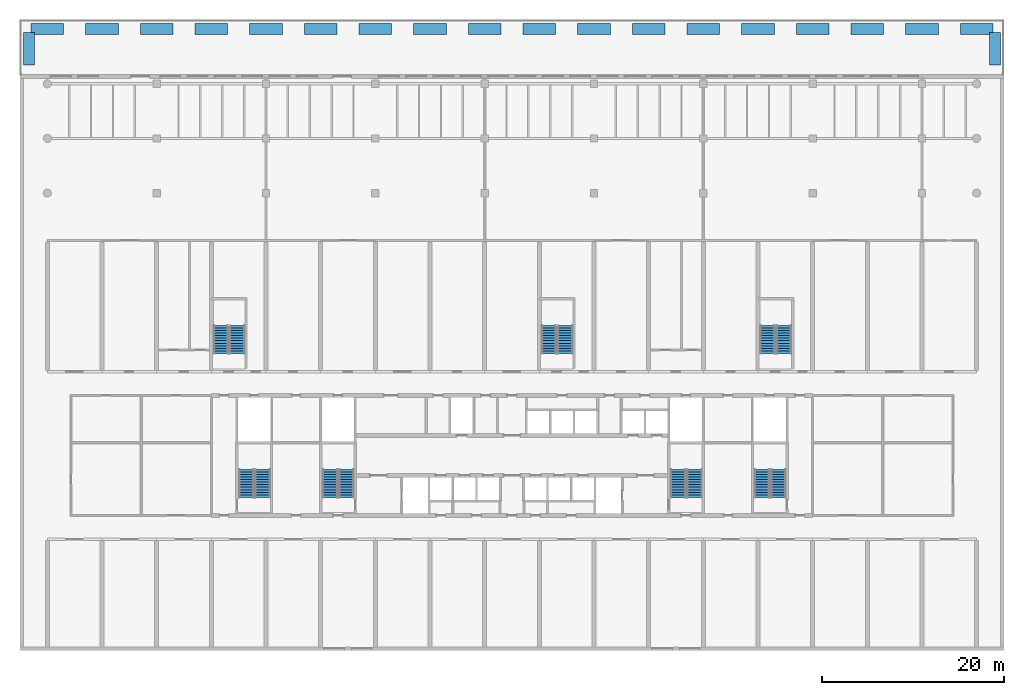
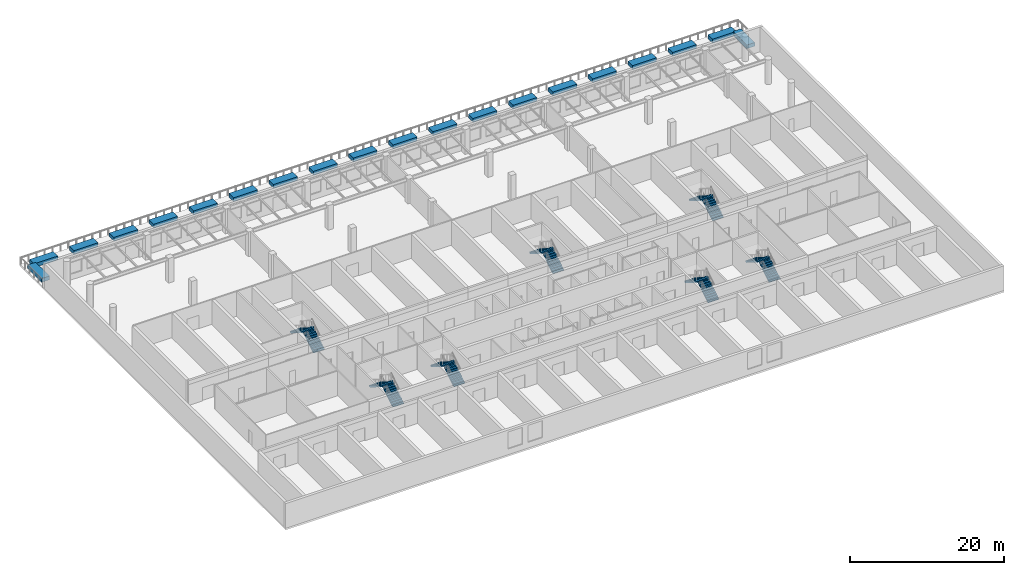
# One storey, part 12 of 15: 20 walls, 14 stair flights, 7 elements without a shape of their own.
"""IFC4 building model written with IfcOpenShell, lengths in metres."""

from ifc_helpers import new_model, si_unit, direction, frame, origin, place, context, subcontext, project, spatial, polyline, outline, extrude, source, transform, mapped, material, layer, layer_set, type_object, element, aggregate, save


model = new_model("IFC4")

# Units and contexts
model_context = context("Model", 3, precision=1e-05, world=origin(), true_north=direction((0.0, 1.0)))
body_context = subcontext(model_context, "Body", "Model", "MODEL_VIEW")
ifc_project = project(units=[si_unit("LENGTHUNIT", "METRE"), si_unit("AREAUNIT", "SQUARE_METRE"), si_unit("VOLUMEUNIT", "CUBIC_METRE"), si_unit("PLANEANGLEUNIT", "RADIAN"), si_unit("MASSUNIT", "GRAM", prefix="KILO")], contexts=[model_context])

# Site, building, storey
site_placement = place(None, origin())
site = spatial("IfcSite", under=ifc_project, at=site_placement, CompositionType="ELEMENT")
building_placement = place(site_placement, origin())
building = spatial("IfcBuilding", under=site, at=building_placement, Name="Poui Terraces", CompositionType="ELEMENT")
storey_placement = place(building_placement, frame((0.0, 0.0, 10.800048828125)))
storey = spatial("IfcBuildingStorey", under=building, at=storey_placement, Name="L02", CompositionType="ELEMENT", Elevation=10.800048828125)

# Walls
ifc_material_1 = material(Name="Precast concrete 40 MPa", Category="concrete")
ifc_layer_1 = layer(ifc_material_1, 1.199951171875)
ifc_layer_set_1 = layer_set([ifc_layer_1], Name="Precast concrete 40 MPa")
wall_type = type_object("IfcWallType", Name="PLANTER 600", PredefinedType="USERDEFINED", material=ifc_layer_set_1)
shared_shape_1 = source(origin(), body_context, "Body", "SweptSolid", [
    extrude(outline(polyline([(0.0, 0.0), (1.2001953125, 0.0), (1.2001953125, 3.599853515625), (0.0, 3.599853515625), (0.0, 0.0)])), origin(), (0.0, 0.0, 1.0), 0.599853515625),
])
for number, where, name in (
    (1, (-2.6201171875, 64.0400390625, 0.0), "PLANTER"),
    (2, (103.419921875, 64.0400390625, 0.0), "PLANTER"),
):
    element("IfcWall", number, at=place(storey_placement, frame(where)), inside=storey, type_object=wall_type, Name=name, ObjectType="PLANTER", PredefinedType="USERDEFINED", context=body_context, shape_type="MappedRepresentation", body=[
        mapped(shared_shape_1, transform((0.0, 0.0, 0.0))),
    ])
shared_shape_2 = source(origin(), body_context, "Body", "SweptSolid", [
    extrude(outline(polyline([(0.0, 0.0), (3.60009765625, 0.0), (3.60009765625, 1.2001953125), (0.0, 1.2001953125), (0.0, 0.0)])), origin(), (0.0, 0.0, 1.0), 0.599853515625),
])
for number, where, name in (
    (3, (-1.800048828125, 67.419921875, 0.0), "PLANTER"),
    (4, (4.199951171875, 67.419921875, 0.0), "PLANTER"),
    (5, (10.199951171875, 67.419921875, 0.0), "PLANTER"),
    (6, (16.199951171875, 67.419921875, 0.0), "PLANTER"),
    (7, (22.199951171875, 67.419921875, 0.0), "PLANTER"),
    (8, (28.199951171875, 67.419921875, 0.0), "PLANTER"),
    (9, (34.199951171875, 67.419921875, 0.0), "PLANTER"),
    (10, (40.199951171875, 67.419921875, 0.0), "PLANTER"),
    (11, (46.199951171875, 67.419921875, 0.0), "PLANTER"),
    (12, (52.199951171875, 67.419921875, 0.0), "PLANTER"),
    (13, (58.199951171875, 67.419921875, 0.0), "PLANTER"),
    (14, (64.199951171875, 67.419921875, 0.0), "PLANTER"),
    (15, (70.199951171875, 67.419921875, 0.0), "PLANTER"),
    (16, (76.199951171875, 67.419921875, 0.0), "PLANTER"),
    (17, (82.199951171875, 67.419921875, 0.0), "PLANTER"),
    (18, (88.199951171875, 67.419921875, 0.0), "PLANTER"),
    (19, (94.199951171875, 67.419921875, 0.0), "PLANTER"),
    (20, (100.199951171875, 67.419921875, 0.0), "PLANTER"),
):
    element("IfcWall", number, at=place(storey_placement, frame(where)), inside=storey, type_object=wall_type, Name=name, ObjectType="PLANTER", PredefinedType="USERDEFINED", context=body_context, shape_type="MappedRepresentation", body=[
        mapped(shared_shape_2, transform((0.0, 0.0, 0.0))),
    ])

# Stair, stair flights
ifc_material_2 = material(Name="Concrete 80 MPa", Category="concrete")
stair_type = type_object("IfcStairType", Name="EXIT STAIR 1650 80 MPA", PredefinedType="HALF_TURN_STAIR", material=ifc_material_2)
stair_1_placement = place(storey_placement, origin())
stair_1 = element("IfcStair", 21, at=stair_1_placement, inside=storey, type_object=stair_type, Name="L02 CORE STAIR EAST", PredefinedType="HALF_TURN_STAIR")
ifc_layer_2 = layer(ifc_material_2, 0.14990234375)
ifc_layer_set_2 = layer_set([ifc_layer_2], Name="Concrete 80 MPa")
stair_flight_type = type_object("IfcStairFlightType", Name="STAIR FLIGHT 12 RISERS 175 RISE 80 MPA", PredefinedType="STRAIGHT", material=ifc_layer_set_2)
stair_flight_1_placement = place(storey_placement, frame((71.050048828125, 16.60009765625, 0.0), z_axis=(0.0, 0.0, 1.0), x_axis=(0.0, 1.0, 0.0)))
stair_flight_1 = element("IfcStairFlight", 22, at=stair_flight_1_placement, type_object=stair_flight_type, Name="ST-CE flight 1", NumberOfRisers=12, NumberOfTreads=11, PredefinedType="STRAIGHT", RiserHeight=0.175, TreadLength=0.28, context=body_context, shape_type="SweptSolid", body=[
    extrude(outline(polyline([(0.0, 0.0), (0.0, 0.175048828125), (0.280029296875, 0.175048828125), (0.280029296875, 0.35009765625), (0.56005859375, 0.35009765625), (0.56005859375, 0.52490234375), (0.840087890625, 0.52490234375), (0.840087890625, 0.699951171875), (1.1201171875, 0.699951171875), (1.1201171875, 0.875), (1.39990234375, 0.875), (1.39990234375, 1.050048828125), (1.679931640625, 1.050048828125), (1.679931640625, 1.22509765625), (1.9599609375, 1.22509765625), (1.9599609375, 1.39990234375), (2.239990234375, 1.39990234375), (2.239990234375, 1.574951171875), (2.52001953125, 1.574951171875), (2.52001953125, 1.75), (2.800048828125, 1.75), (2.800048828125, 1.925048828125), (3.080078125, 1.925048828125), (3.080078125, 2.10009765625), (3.080078125, 1.748291015625), (0.28271484375, 0.0), (0.0, 0.0)])), frame((0.0, 0.824951171875, 0.0), z_axis=(0.0, -1.0, 0.0), x_axis=(1.0, 0.0, 0.0)), (0.0, 0.0, 1.0), 1.64990234375),
])
stair_flight_2_placement = place(storey_placement, frame((69.25, 19.679931640625, 2.099853515625), z_axis=(0.0, 0.0, 1.0), x_axis=(0.0, -1.0, 0.0)))
stair_flight_2 = element("IfcStairFlight", 23, at=stair_flight_2_placement, type_object=stair_flight_type, Name="ST-CE flight 2", NumberOfRisers=12, NumberOfTreads=11, PredefinedType="STRAIGHT", RiserHeight=0.175, TreadLength=0.28, context=body_context, shape_type="SweptSolid", body=[
    extrude(outline(polyline([(0.0, 0.0), (0.0, 0.175048828125), (0.280029296875, 0.175048828125), (0.280029296875, 0.35009765625), (0.56005859375, 0.35009765625), (0.56005859375, 0.52490234375), (0.840087890625, 0.52490234375), (0.840087890625, 0.699951171875), (1.1201171875, 0.699951171875), (1.1201171875, 0.875), (1.39990234375, 0.875), (1.39990234375, 1.050048828125), (1.679931640625, 1.050048828125), (1.679931640625, 1.22509765625), (1.9599609375, 1.22509765625), (1.9599609375, 1.39990234375), (2.239990234375, 1.39990234375), (2.239990234375, 1.574951171875), (2.52001953125, 1.574951171875), (2.52001953125, 1.75), (2.800048828125, 1.75), (2.800048828125, 1.925048828125), (3.080078125, 1.925048828125), (3.080078125, 2.10009765625), (3.080078125, 1.748291015625), (0.28271484375, 0.0), (0.0, 0.0)])), frame((0.0, 0.824951171875, 0.0), z_axis=(0.0, -1.0, 0.0), x_axis=(1.0, 0.0, 0.0)), (0.0, 0.0, 1.0), 1.64990234375),
])
aggregate(stair_1, [stair_flight_1, stair_flight_2])

stair_2_placement = place(storey_placement, origin())
stair_2 = element("IfcStair", 24, at=stair_2_placement, inside=storey, type_object=stair_type, Name="L02 CORE STAIR WEST", PredefinedType="HALF_TURN_STAIR")
stair_flight_3_placement = place(storey_placement, frame((32.85009765625, 16.60009765625, 0.0), z_axis=(0.0, 0.0, 1.0), x_axis=(0.0, 1.0, 0.0)))
stair_flight_3 = element("IfcStairFlight", 25, at=stair_flight_3_placement, type_object=stair_flight_type, Name="ST-CW flight 1", NumberOfRisers=12, NumberOfTreads=11, PredefinedType="STRAIGHT", RiserHeight=0.175, TreadLength=0.28, context=body_context, shape_type="SweptSolid", body=[
    extrude(outline(polyline([(0.0, 0.0), (0.0, 0.175048828125), (0.280029296875, 0.175048828125), (0.280029296875, 0.35009765625), (0.56005859375, 0.35009765625), (0.56005859375, 0.52490234375), (0.840087890625, 0.52490234375), (0.840087890625, 0.699951171875), (1.1201171875, 0.699951171875), (1.1201171875, 0.875), (1.39990234375, 0.875), (1.39990234375, 1.050048828125), (1.679931640625, 1.050048828125), (1.679931640625, 1.22509765625), (1.9599609375, 1.22509765625), (1.9599609375, 1.39990234375), (2.239990234375, 1.39990234375), (2.239990234375, 1.574951171875), (2.52001953125, 1.574951171875), (2.52001953125, 1.75), (2.800048828125, 1.75), (2.800048828125, 1.925048828125), (3.080078125, 1.925048828125), (3.080078125, 2.10009765625), (3.080078125, 1.748291015625), (0.28271484375, 0.0), (0.0, 0.0)])), frame((0.0, 0.824951171875, 0.0), z_axis=(0.0, -1.0, 0.0), x_axis=(1.0, 0.0, 0.0)), (0.0, 0.0, 1.0), 1.64990234375),
])
stair_flight_4_placement = place(storey_placement, frame((31.050048828125, 19.679931640625, 2.099853515625), z_axis=(0.0, 0.0, 1.0), x_axis=(0.0, -1.0, 0.0)))
stair_flight_4 = element("IfcStairFlight", 26, at=stair_flight_4_placement, type_object=stair_flight_type, Name="ST-CW flight 2", NumberOfRisers=12, NumberOfTreads=11, PredefinedType="STRAIGHT", RiserHeight=0.175, TreadLength=0.28, context=body_context, shape_type="SweptSolid", body=[
    extrude(outline(polyline([(0.0, 0.0), (0.0, 0.175048828125), (0.280029296875, 0.175048828125), (0.280029296875, 0.35009765625), (0.56005859375, 0.35009765625), (0.56005859375, 0.52490234375), (0.840087890625, 0.52490234375), (0.840087890625, 0.699951171875), (1.1201171875, 0.699951171875), (1.1201171875, 0.875), (1.39990234375, 0.875), (1.39990234375, 1.050048828125), (1.679931640625, 1.050048828125), (1.679931640625, 1.22509765625), (1.9599609375, 1.22509765625), (1.9599609375, 1.39990234375), (2.239990234375, 1.39990234375), (2.239990234375, 1.574951171875), (2.52001953125, 1.574951171875), (2.52001953125, 1.75), (2.800048828125, 1.75), (2.800048828125, 1.925048828125), (3.080078125, 1.925048828125), (3.080078125, 2.10009765625), (3.080078125, 1.748291015625), (0.28271484375, 0.0), (0.0, 0.0)])), frame((0.0, 0.824951171875, 0.0), z_axis=(0.0, -1.0, 0.0), x_axis=(1.0, 0.0, 0.0)), (0.0, 0.0, 1.0), 1.64990234375),
])
aggregate(stair_2, [stair_flight_3, stair_flight_4])

stair_3_placement = place(storey_placement, origin())
stair_3 = element("IfcStair", 27, at=stair_3_placement, inside=storey, type_object=stair_type, Name="L02 TIP STAIR EAST", PredefinedType="HALF_TURN_STAIR")
stair_flight_5_placement = place(storey_placement, frame((80.25, 16.60009765625, 0.0), z_axis=(0.0, 0.0, 1.0), x_axis=(0.0, 1.0, 0.0)))
stair_flight_5 = element("IfcStairFlight", 28, at=stair_flight_5_placement, type_object=stair_flight_type, Name="ST-E flight 1", NumberOfRisers=12, NumberOfTreads=11, PredefinedType="STRAIGHT", RiserHeight=0.175, TreadLength=0.28, context=body_context, shape_type="SweptSolid", body=[
    extrude(outline(polyline([(0.0, 0.0), (0.0, 0.175048828125), (0.280029296875, 0.175048828125), (0.280029296875, 0.35009765625), (0.56005859375, 0.35009765625), (0.56005859375, 0.52490234375), (0.840087890625, 0.52490234375), (0.840087890625, 0.699951171875), (1.1201171875, 0.699951171875), (1.1201171875, 0.875), (1.39990234375, 0.875), (1.39990234375, 1.050048828125), (1.679931640625, 1.050048828125), (1.679931640625, 1.22509765625), (1.9599609375, 1.22509765625), (1.9599609375, 1.39990234375), (2.239990234375, 1.39990234375), (2.239990234375, 1.574951171875), (2.52001953125, 1.574951171875), (2.52001953125, 1.75), (2.800048828125, 1.75), (2.800048828125, 1.925048828125), (3.080078125, 1.925048828125), (3.080078125, 2.10009765625), (3.080078125, 1.748291015625), (0.28271484375, 0.0), (0.0, 0.0)])), frame((0.0, 0.824951171875, 0.0), z_axis=(0.0, -1.0, 0.0), x_axis=(1.0, 0.0, 0.0)), (0.0, 0.0, 1.0), 1.64990234375),
])
stair_flight_6_placement = place(storey_placement, frame((78.449951171875, 19.679931640625, 2.099853515625), z_axis=(0.0, 0.0, 1.0), x_axis=(0.0, -1.0, 0.0)))
stair_flight_6 = element("IfcStairFlight", 29, at=stair_flight_6_placement, type_object=stair_flight_type, Name="ST-E flight 2", NumberOfRisers=12, NumberOfTreads=11, PredefinedType="STRAIGHT", RiserHeight=0.175, TreadLength=0.28, context=body_context, shape_type="SweptSolid", body=[
    extrude(outline(polyline([(0.0, 0.0), (0.0, 0.175048828125), (0.280029296875, 0.175048828125), (0.280029296875, 0.35009765625), (0.56005859375, 0.35009765625), (0.56005859375, 0.52490234375), (0.840087890625, 0.52490234375), (0.840087890625, 0.699951171875), (1.1201171875, 0.699951171875), (1.1201171875, 0.875), (1.39990234375, 0.875), (1.39990234375, 1.050048828125), (1.679931640625, 1.050048828125), (1.679931640625, 1.22509765625), (1.9599609375, 1.22509765625), (1.9599609375, 1.39990234375), (2.239990234375, 1.39990234375), (2.239990234375, 1.574951171875), (2.52001953125, 1.574951171875), (2.52001953125, 1.75), (2.800048828125, 1.75), (2.800048828125, 1.925048828125), (3.080078125, 1.925048828125), (3.080078125, 2.10009765625), (3.080078125, 1.748291015625), (0.28271484375, 0.0), (0.0, 0.0)])), frame((0.0, 0.824951171875, 0.0), z_axis=(0.0, -1.0, 0.0), x_axis=(1.0, 0.0, 0.0)), (0.0, 0.0, 1.0), 1.64990234375),
])
aggregate(stair_3, [stair_flight_5, stair_flight_6])

stair_4_placement = place(storey_placement, origin())
stair_4 = element("IfcStair", 30, at=stair_4_placement, inside=storey, type_object=stair_type, Name="L02 TIP STAIR WEST", PredefinedType="HALF_TURN_STAIR")
stair_flight_7_placement = place(storey_placement, frame((23.64990234375, 16.60009765625, 0.0), z_axis=(0.0, 0.0, 1.0), x_axis=(0.0, 1.0, 0.0)))
stair_flight_7 = element("IfcStairFlight", 31, at=stair_flight_7_placement, type_object=stair_flight_type, Name="ST-W flight 1", NumberOfRisers=12, NumberOfTreads=11, PredefinedType="STRAIGHT", RiserHeight=0.175, TreadLength=0.28, context=body_context, shape_type="SweptSolid", body=[
    extrude(outline(polyline([(0.0, 0.0), (0.0, 0.175048828125), (0.280029296875, 0.175048828125), (0.280029296875, 0.35009765625), (0.56005859375, 0.35009765625), (0.56005859375, 0.52490234375), (0.840087890625, 0.52490234375), (0.840087890625, 0.699951171875), (1.1201171875, 0.699951171875), (1.1201171875, 0.875), (1.39990234375, 0.875), (1.39990234375, 1.050048828125), (1.679931640625, 1.050048828125), (1.679931640625, 1.22509765625), (1.9599609375, 1.22509765625), (1.9599609375, 1.39990234375), (2.239990234375, 1.39990234375), (2.239990234375, 1.574951171875), (2.52001953125, 1.574951171875), (2.52001953125, 1.75), (2.800048828125, 1.75), (2.800048828125, 1.925048828125), (3.080078125, 1.925048828125), (3.080078125, 2.10009765625), (3.080078125, 1.748291015625), (0.28271484375, 0.0), (0.0, 0.0)])), frame((0.0, 0.824951171875, 0.0), z_axis=(0.0, -1.0, 0.0), x_axis=(1.0, 0.0, 0.0)), (0.0, 0.0, 1.0), 1.64990234375),
])
stair_flight_8_placement = place(storey_placement, frame((21.85009765625, 19.679931640625, 2.099853515625), z_axis=(0.0, 0.0, 1.0), x_axis=(0.0, -1.0, 0.0)))
stair_flight_8 = element("IfcStairFlight", 32, at=stair_flight_8_placement, type_object=stair_flight_type, Name="ST-W flight 2", NumberOfRisers=12, NumberOfTreads=11, PredefinedType="STRAIGHT", RiserHeight=0.175, TreadLength=0.28, context=body_context, shape_type="SweptSolid", body=[
    extrude(outline(polyline([(0.0, 0.0), (0.0, 0.175048828125), (0.280029296875, 0.175048828125), (0.280029296875, 0.35009765625), (0.56005859375, 0.35009765625), (0.56005859375, 0.52490234375), (0.840087890625, 0.52490234375), (0.840087890625, 0.699951171875), (1.1201171875, 0.699951171875), (1.1201171875, 0.875), (1.39990234375, 0.875), (1.39990234375, 1.050048828125), (1.679931640625, 1.050048828125), (1.679931640625, 1.22509765625), (1.9599609375, 1.22509765625), (1.9599609375, 1.39990234375), (2.239990234375, 1.39990234375), (2.239990234375, 1.574951171875), (2.52001953125, 1.574951171875), (2.52001953125, 1.75), (2.800048828125, 1.75), (2.800048828125, 1.925048828125), (3.080078125, 1.925048828125), (3.080078125, 2.10009765625), (3.080078125, 1.748291015625), (0.28271484375, 0.0), (0.0, 0.0)])), frame((0.0, 0.824951171875, 0.0), z_axis=(0.0, -1.0, 0.0), x_axis=(1.0, 0.0, 0.0)), (0.0, 0.0, 1.0), 1.64990234375),
])
aggregate(stair_4, [stair_flight_7, stair_flight_8])

stair_5_placement = place(storey_placement, origin())
stair_5 = element("IfcStair", 33, at=stair_5_placement, inside=storey, type_object=stair_type, Name="L02 PODIUM STAIR 1", PredefinedType="HALF_TURN_STAIR")
stair_flight_9_placement = place(storey_placement, frame((20.85009765625, 32.39990234375, 0.0), z_axis=(0.0, 0.0, 1.0), x_axis=(0.0, 1.0, 0.0)))
stair_flight_9 = element("IfcStairFlight", 34, at=stair_flight_9_placement, type_object=stair_flight_type, Name="ST-N1 flight 1", NumberOfRisers=12, NumberOfTreads=11, PredefinedType="STRAIGHT", RiserHeight=0.175, TreadLength=0.28, context=body_context, shape_type="SweptSolid", body=[
    extrude(outline(polyline([(0.0, 0.0), (0.0, 0.175048828125), (0.280029296875, 0.175048828125), (0.280029296875, 0.35009765625), (0.56005859375, 0.35009765625), (0.56005859375, 0.52490234375), (0.840087890625, 0.52490234375), (0.840087890625, 0.699951171875), (1.1201171875, 0.699951171875), (1.1201171875, 0.875), (1.39990234375, 0.875), (1.39990234375, 1.050048828125), (1.679931640625, 1.050048828125), (1.679931640625, 1.22509765625), (1.9599609375, 1.22509765625), (1.9599609375, 1.39990234375), (2.239990234375, 1.39990234375), (2.239990234375, 1.574951171875), (2.52001953125, 1.574951171875), (2.52001953125, 1.75), (2.800048828125, 1.75), (2.800048828125, 1.925048828125), (3.080078125, 1.925048828125), (3.080078125, 2.10009765625), (3.080078125, 1.748291015625), (0.28271484375, 0.0), (0.0, 0.0)])), frame((0.0, 0.824951171875, 0.0), z_axis=(0.0, -1.0, 0.0), x_axis=(1.0, 0.0, 0.0)), (0.0, 0.0, 1.0), 1.64990234375),
])
stair_flight_10_placement = place(storey_placement, frame((19.050048828125, 35.47998046875, 2.099853515625), z_axis=(0.0, 0.0, 1.0), x_axis=(0.0, -1.0, 0.0)))
stair_flight_10 = element("IfcStairFlight", 35, at=stair_flight_10_placement, type_object=stair_flight_type, Name="ST-N1 flight 2", NumberOfRisers=12, NumberOfTreads=11, PredefinedType="STRAIGHT", RiserHeight=0.175, TreadLength=0.28, context=body_context, shape_type="SweptSolid", body=[
    extrude(outline(polyline([(0.0, 0.0), (0.0, 0.175048828125), (0.280029296875, 0.175048828125), (0.280029296875, 0.35009765625), (0.56005859375, 0.35009765625), (0.56005859375, 0.52490234375), (0.840087890625, 0.52490234375), (0.840087890625, 0.699951171875), (1.1201171875, 0.699951171875), (1.1201171875, 0.875), (1.39990234375, 0.875), (1.39990234375, 1.050048828125), (1.679931640625, 1.050048828125), (1.679931640625, 1.22509765625), (1.9599609375, 1.22509765625), (1.9599609375, 1.39990234375), (2.239990234375, 1.39990234375), (2.239990234375, 1.574951171875), (2.52001953125, 1.574951171875), (2.52001953125, 1.75), (2.800048828125, 1.75), (2.800048828125, 1.925048828125), (3.080078125, 1.925048828125), (3.080078125, 2.10009765625), (3.080078125, 1.748291015625), (0.28271484375, 0.0), (0.0, 0.0)])), frame((0.0, 0.824951171875, 0.0), z_axis=(0.0, -1.0, 0.0), x_axis=(1.0, 0.0, 0.0)), (0.0, 0.0, 1.0), 1.64990234375),
])
aggregate(stair_5, [stair_flight_9, stair_flight_10])

stair_6_placement = place(storey_placement, origin())
stair_6 = element("IfcStair", 36, at=stair_6_placement, inside=storey, type_object=stair_type, Name="L02 PODIUM STAIR 2", PredefinedType="HALF_TURN_STAIR")
stair_flight_11_placement = place(storey_placement, frame((80.85009765625, 32.39990234375, 0.0), z_axis=(0.0, 0.0, 1.0), x_axis=(0.0, 1.0, 0.0)))
stair_flight_11 = element("IfcStairFlight", 37, at=stair_flight_11_placement, type_object=stair_flight_type, Name="ST-N2 flight 1", NumberOfRisers=12, NumberOfTreads=11, PredefinedType="STRAIGHT", RiserHeight=0.175, TreadLength=0.28, context=body_context, shape_type="SweptSolid", body=[
    extrude(outline(polyline([(0.0, 0.0), (0.0, 0.175048828125), (0.280029296875, 0.175048828125), (0.280029296875, 0.35009765625), (0.56005859375, 0.35009765625), (0.56005859375, 0.52490234375), (0.840087890625, 0.52490234375), (0.840087890625, 0.699951171875), (1.1201171875, 0.699951171875), (1.1201171875, 0.875), (1.39990234375, 0.875), (1.39990234375, 1.050048828125), (1.679931640625, 1.050048828125), (1.679931640625, 1.22509765625), (1.9599609375, 1.22509765625), (1.9599609375, 1.39990234375), (2.239990234375, 1.39990234375), (2.239990234375, 1.574951171875), (2.52001953125, 1.574951171875), (2.52001953125, 1.75), (2.800048828125, 1.75), (2.800048828125, 1.925048828125), (3.080078125, 1.925048828125), (3.080078125, 2.10009765625), (3.080078125, 1.748291015625), (0.28271484375, 0.0), (0.0, 0.0)])), frame((0.0, 0.824951171875, 0.0), z_axis=(0.0, -1.0, 0.0), x_axis=(1.0, 0.0, 0.0)), (0.0, 0.0, 1.0), 1.64990234375),
])
stair_flight_12_placement = place(storey_placement, frame((79.050048828125, 35.47998046875, 2.099853515625), z_axis=(0.0, 0.0, 1.0), x_axis=(0.0, -1.0, 0.0)))
stair_flight_12 = element("IfcStairFlight", 38, at=stair_flight_12_placement, type_object=stair_flight_type, Name="ST-N2 flight 2", NumberOfRisers=12, NumberOfTreads=11, PredefinedType="STRAIGHT", RiserHeight=0.175, TreadLength=0.28, context=body_context, shape_type="SweptSolid", body=[
    extrude(outline(polyline([(0.0, 0.0), (0.0, 0.175048828125), (0.280029296875, 0.175048828125), (0.280029296875, 0.35009765625), (0.56005859375, 0.35009765625), (0.56005859375, 0.52490234375), (0.840087890625, 0.52490234375), (0.840087890625, 0.699951171875), (1.1201171875, 0.699951171875), (1.1201171875, 0.875), (1.39990234375, 0.875), (1.39990234375, 1.050048828125), (1.679931640625, 1.050048828125), (1.679931640625, 1.22509765625), (1.9599609375, 1.22509765625), (1.9599609375, 1.39990234375), (2.239990234375, 1.39990234375), (2.239990234375, 1.574951171875), (2.52001953125, 1.574951171875), (2.52001953125, 1.75), (2.800048828125, 1.75), (2.800048828125, 1.925048828125), (3.080078125, 1.925048828125), (3.080078125, 2.10009765625), (3.080078125, 1.748291015625), (0.28271484375, 0.0), (0.0, 0.0)])), frame((0.0, 0.824951171875, 0.0), z_axis=(0.0, -1.0, 0.0), x_axis=(1.0, 0.0, 0.0)), (0.0, 0.0, 1.0), 1.64990234375),
])
aggregate(stair_6, [stair_flight_11, stair_flight_12])

stair_7_placement = place(storey_placement, origin())
stair_7 = element("IfcStair", 39, at=stair_7_placement, inside=storey, type_object=stair_type, Name="L02 PODIUM STAIR 3", PredefinedType="HALF_TURN_STAIR")
stair_flight_13_placement = place(storey_placement, frame((56.85009765625, 32.39990234375, 0.0), z_axis=(0.0, 0.0, 1.0), x_axis=(0.0, 1.0, 0.0)))
stair_flight_13 = element("IfcStairFlight", 40, at=stair_flight_13_placement, type_object=stair_flight_type, Name="ST-N3 flight 1", NumberOfRisers=12, NumberOfTreads=11, PredefinedType="STRAIGHT", RiserHeight=0.175, TreadLength=0.28, context=body_context, shape_type="SweptSolid", body=[
    extrude(outline(polyline([(0.0, 0.0), (0.0, 0.175048828125), (0.280029296875, 0.175048828125), (0.280029296875, 0.35009765625), (0.56005859375, 0.35009765625), (0.56005859375, 0.52490234375), (0.840087890625, 0.52490234375), (0.840087890625, 0.699951171875), (1.1201171875, 0.699951171875), (1.1201171875, 0.875), (1.39990234375, 0.875), (1.39990234375, 1.050048828125), (1.679931640625, 1.050048828125), (1.679931640625, 1.22509765625), (1.9599609375, 1.22509765625), (1.9599609375, 1.39990234375), (2.239990234375, 1.39990234375), (2.239990234375, 1.574951171875), (2.52001953125, 1.574951171875), (2.52001953125, 1.75), (2.800048828125, 1.75), (2.800048828125, 1.925048828125), (3.080078125, 1.925048828125), (3.080078125, 2.10009765625), (3.080078125, 1.748291015625), (0.28271484375, 0.0), (0.0, 0.0)])), frame((0.0, 0.824951171875, 0.0), z_axis=(0.0, -1.0, 0.0), x_axis=(1.0, 0.0, 0.0)), (0.0, 0.0, 1.0), 1.64990234375),
])
stair_flight_14_placement = place(storey_placement, frame((55.050048828125, 35.47998046875, 2.099853515625), z_axis=(0.0, 0.0, 1.0), x_axis=(0.0, -1.0, 0.0)))
stair_flight_14 = element("IfcStairFlight", 41, at=stair_flight_14_placement, type_object=stair_flight_type, Name="ST-N3 flight 2", NumberOfRisers=12, NumberOfTreads=11, PredefinedType="STRAIGHT", RiserHeight=0.175, TreadLength=0.28, context=body_context, shape_type="SweptSolid", body=[
    extrude(outline(polyline([(0.0, 0.0), (0.0, 0.175048828125), (0.280029296875, 0.175048828125), (0.280029296875, 0.35009765625), (0.56005859375, 0.35009765625), (0.56005859375, 0.52490234375), (0.840087890625, 0.52490234375), (0.840087890625, 0.699951171875), (1.1201171875, 0.699951171875), (1.1201171875, 0.875), (1.39990234375, 0.875), (1.39990234375, 1.050048828125), (1.679931640625, 1.050048828125), (1.679931640625, 1.22509765625), (1.9599609375, 1.22509765625), (1.9599609375, 1.39990234375), (2.239990234375, 1.39990234375), (2.239990234375, 1.574951171875), (2.52001953125, 1.574951171875), (2.52001953125, 1.75), (2.800048828125, 1.75), (2.800048828125, 1.925048828125), (3.080078125, 1.925048828125), (3.080078125, 2.10009765625), (3.080078125, 1.748291015625), (0.28271484375, 0.0), (0.0, 0.0)])), frame((0.0, 0.824951171875, 0.0), z_axis=(0.0, -1.0, 0.0), x_axis=(1.0, 0.0, 0.0)), (0.0, 0.0, 1.0), 1.64990234375),
])
aggregate(stair_7, [stair_flight_13, stair_flight_14])

save(model, "model.ifc")
